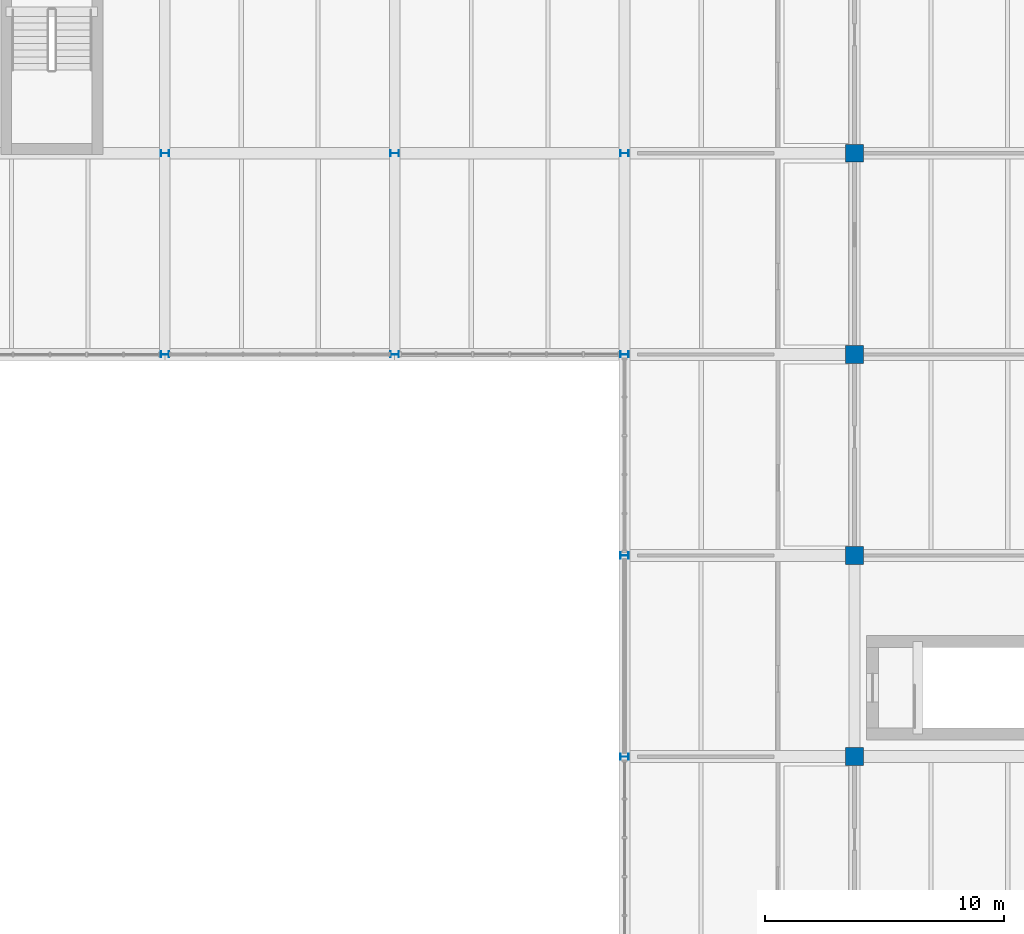
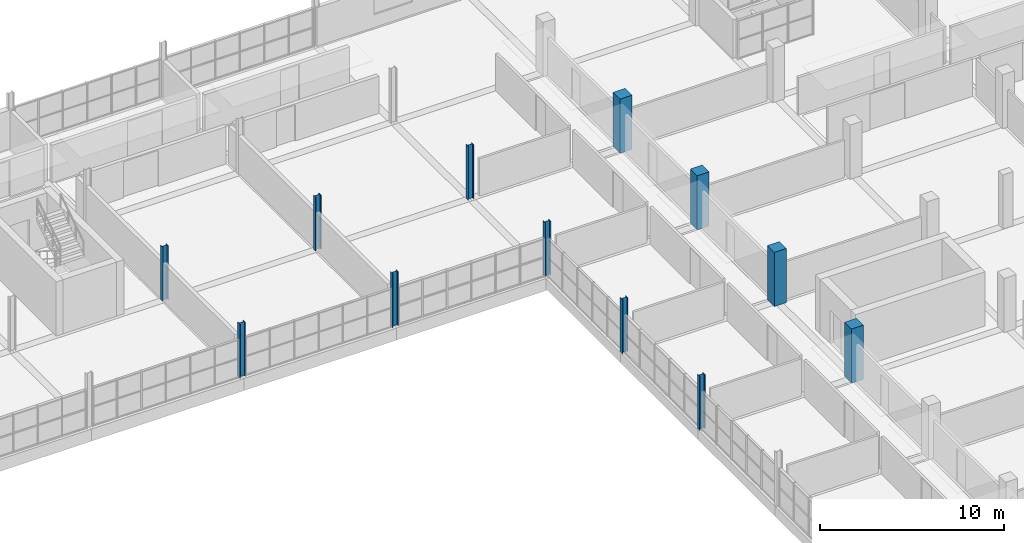
# One storey, part 11 of 147: 12 columns.
"""IFC4 building model written with IfcOpenShell, lengths in metres."""

from ifc_helpers import new_model, si_unit, direction, frame, origin, origin_2d, place, context, subcontext, project, spatial, rectangle, i_section, extrude, material, material_profile, profile_set, type_object, element, save


model = new_model("IFC4")

# Units and contexts
model_context = context("Model", 3, precision=1e-05, world=origin(), true_north=direction((0.0, 1.0)))
body_context = subcontext(model_context, "Body", "Model", "MODEL_VIEW")
ifc_project = project(units=[si_unit("LENGTHUNIT", "METRE"), si_unit("AREAUNIT", "SQUARE_METRE"), si_unit("VOLUMEUNIT", "CUBIC_METRE"), si_unit("PLANEANGLEUNIT", "RADIAN"), si_unit("MASSUNIT", "GRAM", prefix="KILO")], contexts=[model_context])

# Site, building, storey
site_placement = place(None, origin())
site = spatial("IfcSite", under=ifc_project, at=site_placement, CompositionType="ELEMENT")
building_placement = place(site_placement, origin())
building = spatial("IfcBuilding", under=site, at=building_placement, Name="Oolite Switchyard Hospital", CompositionType="ELEMENT")
storey_placement = place(building_placement, frame((0.0, 0.0, 9.89990234375)))
storey = spatial("IfcBuildingStorey", under=building, at=storey_placement, Name="L02", CompositionType="ELEMENT", Elevation=9.89990234375)

# Columns
ifc_material_1 = material(Name="Concrete C50/60", Category="concrete")
ifc_material_profile_1 = material_profile(ifc_material_1, rectangle(XDim=0.75, YDim=0.75, at=origin_2d()), Name="RC750X750")
ifc_profile_set_1 = profile_set([ifc_material_profile_1], Name="Concrete C50/60")
column_type_1 = type_object("IfcColumnType", Name="COL-RC750", PredefinedType="COLUMN", material=ifc_profile_set_1)
for number, where, z_axis, x_axis, name in (
    (1, (124.800048828125, 67.199951171875, 0.0), (0.0, 0.0, 1.0), (1.0, 0.0, 0.0), "L02 Column 787"),
    (2, (124.800048828125, 75.60009765625, 0.0), (0.0, 0.0, 1.0), (1.0, 0.0, 0.0), "L02 Column 788"),
    (3, (124.800048828125, 84.0, 0.0), (0.0, 0.0, 1.0), (1.0, 0.0, 0.0), "L02 Column 789"),
    (4, (124.800048828125, 92.39990234375, 0.0), (0.0, 0.0, 1.0), (1.0, 0.0, 0.0), "L02 Column 790"),
):
    element("IfcColumn", number, at=place(storey_placement, frame(where, z_axis=z_axis, x_axis=x_axis)), inside=storey, type_object=column_type_1, Name=name, PredefinedType="COLUMN", context=body_context, shape_type="SweptSolid", body=[
        extrude(rectangle(XDim=0.75, YDim=0.75, at=origin_2d()), origin(), (0.0, 0.0, 1.0), 3.60009765625),
    ])
ifc_material_2 = material(Name="Steel ASTM A992 Grade 50", Category="steel")
ifc_material_profile_2 = material_profile(ifc_material_2, i_section(OverallWidth=0.25390625, OverallDepth=0.35595703125, WebThickness=0.010986328125, FlangeThickness=0.01806640625, at=origin_2d()), Name="W14X68")
ifc_profile_set_2 = profile_set([ifc_material_profile_2], Name="Steel ASTM A992 Grade 50")
column_type_2 = type_object("IfcColumnType", Name="COL-STL14X68", PredefinedType="COLUMN", material=ifc_profile_set_2)
for number, where, z_axis, x_axis, name in (
    (5, (96.0, 84.0, 0.0), (0.0, 0.0, 1.0), (0.0, -1.0, 0.0), "L02 Column 761"),
    (6, (96.0, 92.39990234375, 0.0), (0.0, 0.0, 1.0), (0.0, -1.0, 0.0), "L02 Column 762"),
    (7, (105.60009765625, 84.0, 0.0), (0.0, 0.0, 1.0), (0.0, -1.0, 0.0), "L02 Column 767"),
    (8, (105.60009765625, 92.39990234375, 0.0), (0.0, 0.0, 1.0), (0.0, -1.0, 0.0), "L02 Column 768"),
    (9, (115.199951171875, 67.199951171875, 0.0), (0.0, 0.0, 1.0), (0.0, -1.0, 0.0), "L02 Column 776"),
    (10, (115.199951171875, 75.60009765625, 0.0), (0.0, 0.0, 1.0), (0.0, -1.0, 0.0), "L02 Column 777"),
    (11, (115.199951171875, 84.0, 0.0), (0.0, 0.0, 1.0), (0.0, -1.0, 0.0), "L02 Column 778"),
    (12, (115.199951171875, 92.39990234375, 0.0), (0.0, 0.0, 1.0), (0.0, -1.0, 0.0), "L02 Column 779"),
):
    element("IfcColumn", number, at=place(storey_placement, frame(where, z_axis=z_axis, x_axis=x_axis)), inside=storey, type_object=column_type_2, Name=name, PredefinedType="COLUMN", context=body_context, shape_type="SweptSolid", body=[
        extrude(i_section(OverallWidth=0.25390625, OverallDepth=0.35595703125, WebThickness=0.010986328125, FlangeThickness=0.01806640625, at=origin_2d()), origin(), (0.0, 0.0, 1.0), 3.60009765625),
    ])

save(model, "model.ifc")
